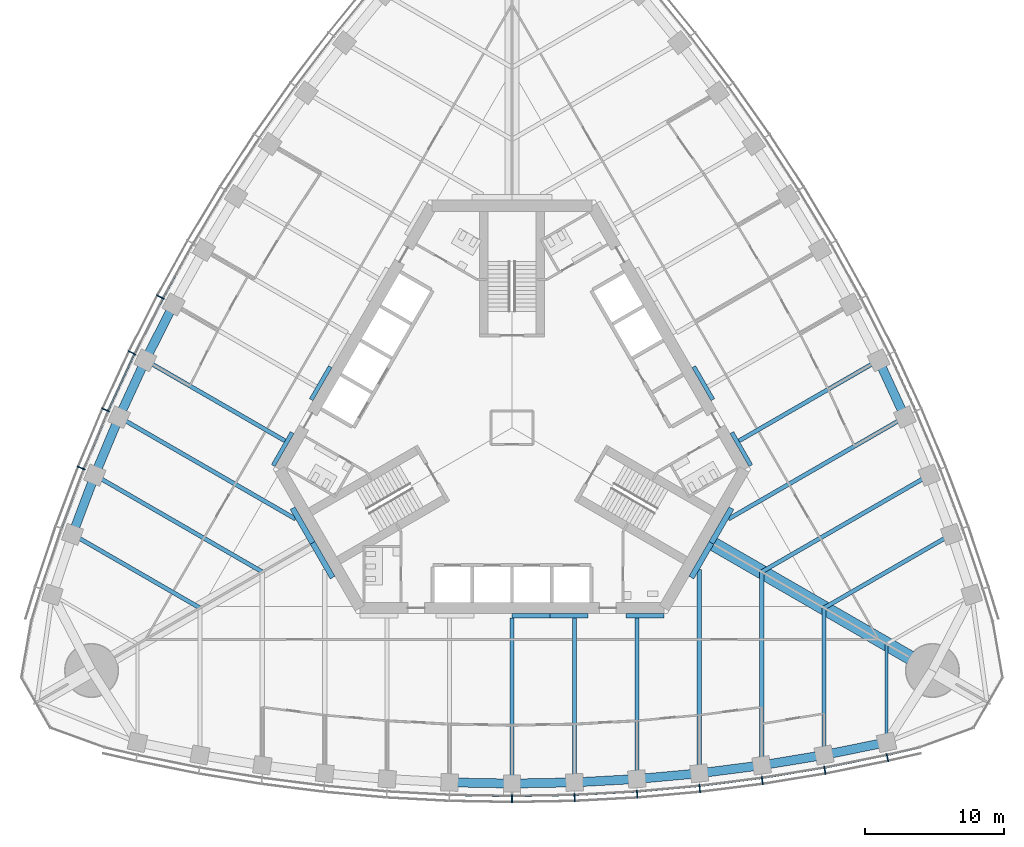
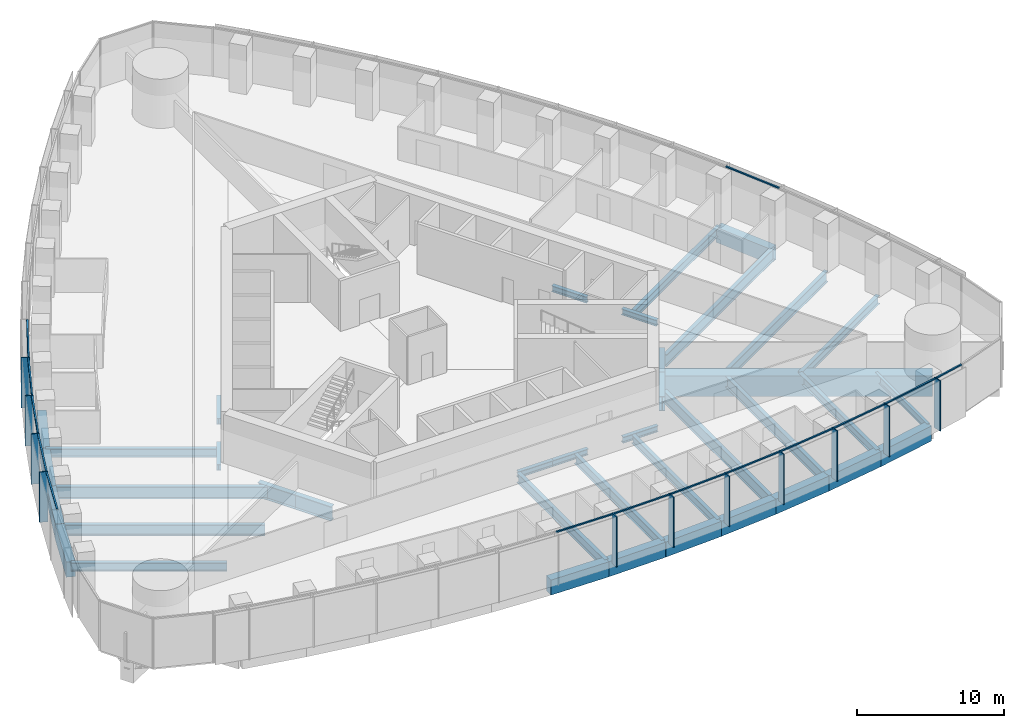
# One storey, part 3 of 21: 39 beams, 25 members, 3 elements without a shape of their own.
"""IFC4 building model written with IfcOpenShell, lengths in metres."""

from ifc_helpers import new_model, si_unit, direction, frame, origin, origin_2d, place, context, subcontext, project, spatial, rectangle, i_section, extrude, material, material_profile, profile_set, type_object, element, aggregate, save


model = new_model("IFC4")

# Units and contexts
model_context = context("Model", 3, precision=1e-05, world=origin(), true_north=direction((0.0, 1.0)))
body_context = subcontext(model_context, "Body", "Model", "MODEL_VIEW")
ifc_project = project(units=[si_unit("LENGTHUNIT", "METRE"), si_unit("AREAUNIT", "SQUARE_METRE"), si_unit("VOLUMEUNIT", "CUBIC_METRE"), si_unit("PLANEANGLEUNIT", "RADIAN"), si_unit("MASSUNIT", "GRAM", prefix="KILO")], contexts=[model_context])

# Site, building, storey
site_placement = place(None, origin())
site = spatial("IfcSite", under=ifc_project, at=site_placement, CompositionType="ELEMENT")
building_placement = place(site_placement, origin())
building = spatial("IfcBuilding", under=site, at=building_placement, Name="Trefoil Bronze Tower", CompositionType="ELEMENT")
storey_placement = place(building_placement, frame((0.0, 0.0, 145.10009765625)))
storey = spatial("IfcBuildingStorey", under=building, at=storey_placement, Name="L33", CompositionType="ELEMENT", Elevation=145.10009765625)

# Curtain wall, members
ifc_material_1 = material(Name="Tinted solar-control glass", Category="glass")
curtain_wall_type = type_object("IfcCurtainWallType", Name="Bronze office curtain wall", PredefinedType="USERDEFINED", material=ifc_material_1)
curtain_wall_1_placement = place(storey_placement, origin())
curtain_wall_1 = element("IfcCurtainWall", 1, at=curtain_wall_1_placement, inside=storey, type_object=curtain_wall_type, Name="CW-A L33 F1", ObjectType="CURTAIN WALL", PredefinedType="USERDEFINED")
ifc_material_2 = material(Name="Bronze-finish aluminium", Category="aluminium")
ifc_material_profile_1 = material_profile(ifc_material_2, rectangle(XDim=0.60009765625, YDim=0.080078125, at=origin_2d()), Name="CW-A mullion")
ifc_profile_set_1 = profile_set([ifc_material_profile_1], Name="Bronze-finish aluminium")
member_type_1 = type_object("IfcMemberType", Name="Bronze office curtain wall mullion", PredefinedType="MULLION", material=ifc_profile_set_1)
member_1_placement = place(storey_placement, frame((0.0, -26.749755859375, 0.0), z_axis=(0.0, 0.0, 1.0), x_axis=(0.0, 1.0, 0.0)))
member_1 = element("IfcMember", 2, at=member_1_placement, type_object=member_type_1, Name="CW-A L33 F1 mullion 8", PredefinedType="MULLION", context=body_context, shape_type="SweptSolid", body=[
    extrude(rectangle(XDim=0.60009765625, YDim=0.080078125, at=origin_2d()), origin(), (0.0, 0.0, 1.0), 4.179931640625),
])
member_2_placement = place(storey_placement, frame((4.5107421875, -26.66845703125, 0.0), z_axis=(0.0, 0.0, 1.0), x_axis=(-0.036047792107, 0.999350067136, 0.0)))
member_2 = element("IfcMember", 3, at=member_2_placement, type_object=member_type_1, Name="CW-A L33 F1 mullion 9", PredefinedType="MULLION", context=body_context, shape_type="SweptSolid", body=[
    extrude(rectangle(XDim=0.60009765625, YDim=0.080078125, at=origin_2d()), origin(), (0.0, 0.0, 1.0), 4.179931640625),
])
member_3_placement = place(storey_placement, frame((9.021728515625, -26.424072265625, 0.0), z_axis=(0.0, 0.0, 1.0), x_axis=(-0.072095676284, 0.997397720802, 0.0)))
member_3 = element("IfcMember", 4, at=member_3_placement, type_object=member_type_1, Name="CW-A L33 F1 mullion 10", PredefinedType="MULLION", context=body_context, shape_type="SweptSolid", body=[
    extrude(rectangle(XDim=0.60009765625, YDim=0.080078125, at=origin_2d()), origin(), (0.0, 0.0, 1.0), 4.179931640625),
])
member_4_placement = place(storey_placement, frame((13.532470703125, -26.01611328125, 0.0), z_axis=(0.0, 0.0, 1.0), x_axis=(-0.108143747013, 0.994135267447, 0.0)))
member_4 = element("IfcMember", 5, at=member_4_placement, type_object=member_type_1, Name="CW-A L33 F1 mullion 11", PredefinedType="MULLION", context=body_context, shape_type="SweptSolid", body=[
    extrude(rectangle(XDim=0.60009765625, YDim=0.080078125, at=origin_2d()), origin(), (0.0, 0.0, 1.0), 4.179931640625),
])
member_5_placement = place(storey_placement, frame((18.043212890625, -25.4423828125, 0.0), z_axis=(0.0, 0.0, 1.0), x_axis=(-0.144192103798, 0.989549714366, 0.0)))
member_5 = element("IfcMember", 6, at=member_5_placement, type_object=member_type_1, Name="CW-A L33 F1 mullion 12", PredefinedType="MULLION", context=body_context, shape_type="SweptSolid", body=[
    extrude(rectangle(XDim=0.60009765625, YDim=0.080078125, at=origin_2d()), origin(), (0.0, 0.0, 1.0), 4.179931640625),
])
member_6_placement = place(storey_placement, frame((22.553955078125, -24.700927734375, 0.0), z_axis=(0.0, 0.0, 1.0), x_axis=(-0.180240853954, 0.98362250613, 0.0)))
member_6 = element("IfcMember", 7, at=member_6_placement, type_object=member_type_1, Name="CW-A L33 F1 mullion 13", PredefinedType="MULLION", context=body_context, shape_type="SweptSolid", body=[
    extrude(rectangle(XDim=0.60009765625, YDim=0.080078125, at=origin_2d()), origin(), (0.0, 0.0, 1.0), 4.179931640625),
])
member_7_placement = place(storey_placement, frame((27.0634765625, -23.7890625, 0.0), z_axis=(0.0, 0.0, 1.0), x_axis=(-0.21197042503, 0.977276081214, 0.0)))
member_7 = element("IfcMember", 8, at=member_7_placement, type_object=member_type_1, Name="CW-A L33 F1 mullion 14", PredefinedType="MULLION", context=body_context, shape_type="SweptSolid", body=[
    extrude(rectangle(XDim=0.60009765625, YDim=0.080078125, at=origin_2d()), origin(), (0.0, 0.0, 1.0), 4.179931640625),
])

curtain_wall_2_placement = place(storey_placement, origin())
curtain_wall_2 = element("IfcCurtainWall", 9, at=curtain_wall_2_placement, inside=storey, type_object=curtain_wall_type, Name="CW-A L33 F3", ObjectType="CURTAIN WALL", PredefinedType="USERDEFINED")
member_8_placement = place(storey_placement, frame((-25.350830078125, 9.427734375, 0.0), z_axis=(0.0, 0.0, 1.0), x_axis=(0.883486441467, -0.468456729853, 0.0)))
member_8 = element("IfcMember", 10, at=member_8_placement, type_object=member_type_1, Name="CW-A L33 F3 mullion 9", PredefinedType="MULLION", context=body_context, shape_type="SweptSolid", body=[
    extrude(rectangle(XDim=0.60009765625, YDim=0.080078125, at=origin_2d()), origin(), (0.0, 0.0, 1.0), 4.179931640625),
])
member_9_placement = place(storey_placement, frame((-27.394775390625, 5.399169921875, 0.0), z_axis=(0.0, 0.0, 1.0), x_axis=(0.899819602033, -0.436262173236, 0.0)))
member_9 = element("IfcMember", 11, at=member_9_placement, type_object=member_type_1, Name="CW-A L33 F3 mullion 10", PredefinedType="MULLION", context=body_context, shape_type="SweptSolid", body=[
    extrude(rectangle(XDim=0.60009765625, YDim=0.080078125, at=origin_2d()), origin(), (0.0, 0.0, 1.0), 4.179931640625),
])
member_10_placement = place(storey_placement, frame((-29.296875, 1.28857421875, 0.0), z_axis=(0.0, 0.0, 1.0), x_axis=(0.915018269914, -0.40341240155, 0.0)))
member_10 = element("IfcMember", 12, at=member_10_placement, type_object=member_type_1, Name="CW-A L33 F3 mullion 11", PredefinedType="MULLION", context=body_context, shape_type="SweptSolid", body=[
    extrude(rectangle(XDim=0.60009765625, YDim=0.080078125, at=origin_2d()), origin(), (0.0, 0.0, 1.0), 4.179931640625),
])
member_11_placement = place(storey_placement, frame((-31.055419921875, -2.90478515625, 0.0), z_axis=(0.0, 0.0, 1.0), x_axis=(0.929071242848, -0.369900832269, 0.0)))
member_11 = element("IfcMember", 13, at=member_11_placement, type_object=member_type_1, Name="CW-A L33 F3 mullion 12", PredefinedType="MULLION", context=body_context, shape_type="SweptSolid", body=[
    extrude(rectangle(XDim=0.60009765625, YDim=0.080078125, at=origin_2d()), origin(), (0.0, 0.0, 1.0), 4.179931640625),
])

# Member
ifc_material_3 = material(Name="Bronze-finish aluminium", Category="aluminium")
ifc_material_profile_2 = material_profile(ifc_material_3, rectangle(XDim=0.1201171875, YDim=0.10009765625, at=origin_2d()), Name="CW-A transom")
ifc_profile_set_2 = profile_set([ifc_material_profile_2], Name="Bronze-finish aluminium")
member_type_2 = type_object("IfcMemberType", Name="Bronze office curtain wall transom", PredefinedType="USERDEFINED", material=ifc_profile_set_2)
member_12_placement = place(storey_placement, frame((-4.4619140625, -26.46923828125, 4.1298828125), z_axis=(0.999837930028, -0.018003157426, 0.0), x_axis=(0.018003157426, 0.999837930028, 0.0)))
member_12 = element("IfcMember", 14, at=member_12_placement, type_object=member_type_2, Name="CW-A L33 F1 transom 7", ObjectType="TRANSOM", PredefinedType="USERDEFINED", context=body_context, shape_type="SweptSolid", body=[
    extrude(rectangle(XDim=0.1201171875, YDim=0.10009765625, at=origin_2d()), origin(), (0.0, 0.0, 1.0), 4.4208984375),
])

member_13_placement = place(storey_placement, frame((0.041748046875, -26.548828125, 4.1298828125), z_axis=(0.999837930028, 0.018003157426, 0.0), x_axis=(-0.018003157426, 0.999837930028, 0.0)))
member_13 = element("IfcMember", 15, at=member_13_placement, type_object=member_type_2, Name="CW-A L33 F1 transom 8", ObjectType="TRANSOM", PredefinedType="USERDEFINED", context=body_context, shape_type="SweptSolid", body=[
    extrude(rectangle(XDim=0.1201171875, YDim=0.10009765625, at=origin_2d()), origin(), (0.0, 0.0, 1.0), 4.4208984375),
])

member_14_placement = place(storey_placement, frame((4.54541015625, -26.46630859375, 4.1298828125), z_axis=(0.998538253569, 0.054049571306, 0.0), x_axis=(-0.054049571306, 0.998538253569, 0.0)))
member_14 = element("IfcMember", 16, at=member_14_placement, type_object=member_type_2, Name="CW-A L33 F1 transom 9", ObjectType="TRANSOM", PredefinedType="USERDEFINED", context=body_context, shape_type="SweptSolid", body=[
    extrude(rectangle(XDim=0.1201171875, YDim=0.10009765625, at=origin_2d()), origin(), (0.0, 0.0, 1.0), 4.4267578125),
])

member_15_placement = place(storey_placement, frame((9.048828125, -26.220947265625, 4.1298828125), z_axis=(0.995932787062, 0.090099298863, 0.0), x_axis=(-0.090099298863, 0.995932787062, 0.0)))
member_15 = element("IfcMember", 17, at=member_15_placement, type_object=member_type_2, Name="CW-A L33 F1 transom 10", ObjectType="TRANSOM", PredefinedType="USERDEFINED", context=body_context, shape_type="SweptSolid", body=[
    extrude(rectangle(XDim=0.1201171875, YDim=0.10009765625, at=origin_2d()), origin(), (0.0, 0.0, 1.0), 4.4384765625),
])

member_16_placement = place(storey_placement, frame((13.55224609375, -25.81201171875, 4.1298828125), z_axis=(0.992008387848, 0.12617193998, 0.0), x_axis=(-0.12617193998, 0.992008387848, 0.0)))
member_16 = element("IfcMember", 18, at=member_16_placement, type_object=member_type_2, Name="CW-A L33 F1 transom 11", ObjectType="TRANSOM", PredefinedType="USERDEFINED", context=body_context, shape_type="SweptSolid", body=[
    extrude(rectangle(XDim=0.1201171875, YDim=0.10009765625, at=origin_2d()), origin(), (0.0, 0.0, 1.0), 4.456298828125),
])

member_17_placement = place(storey_placement, frame((18.0556640625, -25.23779296875, 4.1298828125), z_axis=(0.986755265284, 0.162216048636, 0.0), x_axis=(-0.162216048636, 0.986755265284, 0.0)))
member_17 = element("IfcMember", 19, at=member_17_placement, type_object=member_type_2, Name="CW-A L33 F1 transom 12", ObjectType="TRANSOM", PredefinedType="USERDEFINED", context=body_context, shape_type="SweptSolid", body=[
    extrude(rectangle(XDim=0.1201171875, YDim=0.10009765625, at=origin_2d()), origin(), (0.0, 0.0, 1.0), 4.48046875),
])

member_18_placement = place(storey_placement, frame((22.55908203125, -24.49609375, 4.1298828125), z_axis=(0.980153749225, 0.198238815273, 0.0), x_axis=(-0.198238815273, 0.980153749225, 0.0)))
member_18 = element("IfcMember", 20, at=member_18_placement, type_object=member_type_2, Name="CW-A L33 F1 transom 13", ObjectType="TRANSOM", PredefinedType="USERDEFINED", context=body_context, shape_type="SweptSolid", body=[
    extrude(rectangle(XDim=0.1201171875, YDim=0.10009765625, at=origin_2d()), origin(), (0.0, 0.0, 1.0), 4.51123046875),
])

member_19_placement = place(storey_placement, frame((27.0615234375, -23.584228515625, 4.1298828125), z_axis=(0.974206243495, 0.225659467196, 0.0), x_axis=(-0.225659467196, 0.974206243495, 0.0)))
member_19 = element("IfcMember", 21, at=member_19_placement, type_object=member_type_2, Name="CW-A L33 F1 transom 14", ObjectType="TRANSOM", PredefinedType="USERDEFINED", context=body_context, shape_type="SweptSolid", body=[
    extrude(rectangle(XDim=0.1201171875, YDim=0.10009765625, at=origin_2d()), origin(), (0.0, 0.0, 1.0), 2.340087890625),
])

aggregate(curtain_wall_1, [member_1, member_2, member_3, member_4, member_5, member_6, member_7, member_12, member_13, member_14, member_15, member_16, member_17, member_18, member_19])

# Curtain wall, member
curtain_wall_3_placement = place(storey_placement, origin())
curtain_wall_3 = element("IfcCurtainWall", 22, at=curtain_wall_3_placement, inside=storey, type_object=curtain_wall_type, Name="CW-A L33 F2", ObjectType="CURTAIN WALL", PredefinedType="USERDEFINED")
member_20_placement = place(storey_placement, frame((29.09619140625, 1.245849609375, 4.1298828125), z_axis=(-0.419923072198, 0.907559702409, 0.0), x_axis=(-0.907559702409, -0.419923072198, 0.0)))
member_20 = element("IfcMember", 23, at=member_20_placement, type_object=member_type_2, Name="CW-A L33 F2 transom 5", ObjectType="TRANSOM", PredefinedType="USERDEFINED", context=body_context, shape_type="SweptSolid", body=[
    extrude(rectangle(XDim=0.1201171875, YDim=0.10009765625, at=origin_2d()), origin(), (0.0, 0.0, 1.0), 4.4384765625),
])
aggregate(curtain_wall_3, [member_20])

# Member
member_21_placement = place(storey_placement, frame((-23.012939453125, 13.23828125, 4.1298828125), z_axis=(-0.484329470343, -0.874885686337, 0.0), x_axis=(0.874885686337, -0.484329470343, 0.0)))
member_21 = element("IfcMember", 24, at=member_21_placement, type_object=member_type_2, Name="CW-A L33 F3 transom 8", ObjectType="TRANSOM", PredefinedType="USERDEFINED", context=body_context, shape_type="SweptSolid", body=[
    extrude(rectangle(XDim=0.1201171875, YDim=0.10009765625, at=origin_2d()), origin(), (0.0, 0.0, 1.0), 4.4208984375),
])

member_22_placement = place(storey_placement, frame((-25.193115234375, 9.296630859375, 4.1298828125), z_axis=(-0.452478489814, -0.891775317138, 0.0), x_axis=(0.891775317138, -0.452478489814, 0.0)))
member_22 = element("IfcMember", 25, at=member_22_placement, type_object=member_type_2, Name="CW-A L33 F3 transom 9", ObjectType="TRANSOM", PredefinedType="USERDEFINED", context=body_context, shape_type="SweptSolid", body=[
    extrude(rectangle(XDim=0.1201171875, YDim=0.10009765625, at=origin_2d()), origin(), (0.0, 0.0, 1.0), 4.426513671875),
])

member_23_placement = place(storey_placement, frame((-27.232421875, 5.27392578125, 4.1298828125), z_axis=(-0.419923072198, -0.907559702409, 0.0), x_axis=(0.907559702409, -0.419923072198, 0.0)))
member_23 = element("IfcMember", 26, at=member_23_placement, type_object=member_type_2, Name="CW-A L33 F3 transom 10", ObjectType="TRANSOM", PredefinedType="USERDEFINED", context=body_context, shape_type="SweptSolid", body=[
    extrude(rectangle(XDim=0.1201171875, YDim=0.10009765625, at=origin_2d()), origin(), (0.0, 0.0, 1.0), 4.4384765625),
])

member_24_placement = place(storey_placement, frame((-29.1298828125, 1.16943359375, 4.1298828125), z_axis=(-0.386773266184, -0.922174842731, 0.0), x_axis=(0.922174842731, -0.386773266184, 0.0)))
member_24 = element("IfcMember", 27, at=member_24_placement, type_object=member_type_2, Name="CW-A L33 F3 transom 11", ObjectType="TRANSOM", PredefinedType="USERDEFINED", context=body_context, shape_type="SweptSolid", body=[
    extrude(rectangle(XDim=0.1201171875, YDim=0.10009765625, at=origin_2d()), origin(), (0.0, 0.0, 1.0), 4.45654296875),
])

member_25_placement = place(storey_placement, frame((-30.88427734375, -3.017822265625, 4.1298828125), z_axis=(-0.352932154759, -0.935648916067, 0.0), x_axis=(0.935648916067, -0.352932154759, 0.0)))
member_25 = element("IfcMember", 28, at=member_25_placement, type_object=member_type_2, Name="CW-A L33 F3 transom 12", ObjectType="TRANSOM", PredefinedType="USERDEFINED", context=body_context, shape_type="SweptSolid", body=[
    extrude(rectangle(XDim=0.1201171875, YDim=0.10009765625, at=origin_2d()), origin(), (0.0, 0.0, 1.0), 4.48046875),
])

aggregate(curtain_wall_2, [member_8, member_9, member_10, member_11, member_21, member_22, member_23, member_24, member_25])

# Beams
ifc_material_4 = material(Name="Steel C355", Category="steel")
ifc_material_profile_3 = material_profile(ifc_material_4, i_section(OverallWidth=0.300048828125, OverallDepth=0.5, WebThickness=0.014404296875, FlangeThickness=0.028076171875, FilletRadius=0.027099609375, at=origin_2d()), Name="HEB 500")
ifc_profile_set_3 = profile_set([ifc_material_profile_3], Name="Steel C355")
beam_type_1 = type_object("IfcBeamType", Name="Core seat beam HEB 500", PredefinedType="BEAM", material=ifc_profile_set_3)
for number, where, z_axis, x_axis, name in (
    (29, (0.0, -13.550048828125, -0.4501953125), (1.0, 0.0, 0.0), (0.0, 1.0, 0.0), "Core seat beam F1/+0 L33"),
    (30, (2.742431640625, -13.550048828125, -0.4501953125), (1.0, 0.0, 0.0), (0.0, 1.0, 0.0), "Core seat beam F1/+1 L33"),
    (31, (8.227294921875, -13.550048828125, -0.4501953125), (1.0, 0.0, 0.0), (0.0, 1.0, 0.0), "Core seat beam F1/+2 L33"),
    (32, (17.219482421875, -2.72509765625, -0.4501953125), (-0.500035825175, 0.866004719122, 0.0), (-0.866004719122, -0.500035825175, 0.0), "Core seat beam F2/-2 L33"),
    (33, (14.47705078125, 2.02490234375, -0.4501953125), (-0.499969057507, 0.866043267704, 0.0), (-0.866043267704, -0.499969057507, 0.0), "Core seat beam F2/-1 L33"),
    (34, (-13.10595703125, 4.39990234375, -0.4501953125), (-0.499969057507, -0.866043267704, 0.0), (0.866043267704, -0.499969057507, 0.0), "Core seat beam F3/+1 L33"),
    (35, (-15.84814453125, -0.35009765625, -0.4501953125), (-0.500035825175, -0.866004719122, 0.0), (0.866004719122, -0.500035825175, 0.0), "Core seat beam F3/+2 L33"),
):
    element("IfcBeam", number, at=place(storey_placement, frame(where, z_axis=z_axis, x_axis=x_axis)), inside=storey, type_object=beam_type_1, Name=name, PredefinedType="BEAM", context=body_context, shape_type="SweptSolid", body=[
        extrude(i_section(OverallWidth=0.300048828125, OverallDepth=0.5, WebThickness=0.014404296875, FlangeThickness=0.028076171875, FilletRadius=0.027099609375, at=origin_2d()), origin(), (0.0, 0.0, 1.0), 2.742431640625),
    ])
ifc_material_5 = material(Name="Steel C355", Category="steel")
ifc_material_profile_4 = material_profile(ifc_material_5, i_section(OverallWidth=0.39990234375, OverallDepth=1.199951171875, WebThickness=0.02001953125, FlangeThickness=0.0400390625, FilletRadius=0.010009765625, at=origin_2d()), Name="WPG 1200")
ifc_profile_set_4 = profile_set([ifc_material_profile_4], Name="Steel C355")
beam_type_2 = type_object("IfcBeamType", Name="Core seat beam WPG 1200", PredefinedType="BEAM", material=ifc_profile_set_4)
for number, where, z_axis, x_axis, name in (
    (36, (-14.3759765625, -8.300048828125, -0.800048828125), (0.499995765644, -0.866027848477, 0.0), (0.866027848477, 0.499995765644, 0.0), "Core seat beam F1/-3 L33"),
    (37, (12.9326171875, -10.800048828125, -0.800048828125), (0.499995765644, 0.866027848477, 0.0), (-0.866027848477, 0.499995765644, 0.0), "Core seat beam F1/+3 L33"),
    (38, (14.3759765625, -8.300048828125, -0.800048828125), (0.499995765644, 0.866027848477, 0.0), (-0.866027848477, 0.499995765644, 0.0), "Core seat beam F2/-3 L33"),
    (39, (-15.8193359375, -5.800048828125, -0.800048828125), (0.499995765644, -0.866027848477, 0.0), (0.866027848477, 0.499995765644, 0.0), "Core seat beam F3/+3 L33"),
):
    element("IfcBeam", number, at=place(storey_placement, frame(where, z_axis=z_axis, x_axis=x_axis)), inside=storey, type_object=beam_type_2, Name=name, PredefinedType="BEAM", context=body_context, shape_type="SweptSolid", body=[
        extrude(i_section(OverallWidth=0.39990234375, OverallDepth=1.199951171875, WebThickness=0.02001953125, FlangeThickness=0.0400390625, FilletRadius=0.010009765625, at=origin_2d()), origin(), (0.0, 0.0, 1.0), 2.88671875),
    ])
ifc_material_6 = material(Name="Concrete B80", Category="concrete")
ifc_material_profile_5 = material_profile(ifc_material_6, rectangle(XDim=1.0, YDim=1.699951171875, at=origin_2d()), Name="RC 1000x1700")
ifc_profile_set_5 = profile_set([ifc_material_profile_5], Name="Concrete B80")
beam_type_3 = type_object("IfcBeamType", Name="Corner girder RC 1000x1700", PredefinedType="BEAM", material=ifc_profile_set_5)
beam_1_placement = place(storey_placement, frame((14.202880859375, -8.199951171875, -1.050048828125), z_axis=(0.866022084834, -0.500005748546, 0.0), x_axis=(0.500005748546, 0.866022084834, 0.0)))
element("IfcBeam", 40, at=beam_1_placement, inside=storey, type_object=beam_type_3, Name="Corner girder K1 L33", PredefinedType="BEAM", context=body_context, shape_type="SweptSolid", body=[
    extrude(rectangle(XDim=1.0, YDim=1.699951171875, at=origin_2d()), origin(), (0.0, 0.0, 1.0), 18.599853515625),
])
ifc_material_7 = material(Name="Steel C355", Category="steel")
ifc_material_profile_6 = material_profile(ifc_material_7, i_section(OverallWidth=0.300048828125, OverallDepth=1.0, WebThickness=0.01904296875, FlangeThickness=0.035888671875, FilletRadius=0.030029296875, at=origin_2d()), Name="HEB 1000")
ifc_profile_set_6 = profile_set([ifc_material_profile_6], Name="Steel C355")
beam_type_4 = type_object("IfcBeamType", Name="Floor beam HEB 1000", PredefinedType="BEAM", material=ifc_profile_set_6)
for number, where, z_axis, x_axis, name in (
    (41, (13.5, -24.9130859375, -0.7001953125), (0.0, 1.0, 0.0), (-1.0, 0.0, 0.0), "Floor beam F1/+3 L33"),
    (42, (28.325439453125, 0.76513671875, -0.7001953125), (-0.866027342682, -0.499996641717, 0.0), (0.499996641717, -0.866027342682, 0.0), "Floor beam F2/-3 L33"),
    (43, (-28.325439453125, 0.76513671875, -0.7001953125), (0.866027342682, -0.499996641717, 0.0), (0.499996641717, 0.866027342682, 0.0), "Floor beam F3/+3 L33"),
):
    element("IfcBeam", number, at=place(storey_placement, frame(where, z_axis=z_axis, x_axis=x_axis)), inside=storey, type_object=beam_type_4, Name=name, PredefinedType="BEAM", context=body_context, shape_type="SweptSolid", body=[
        extrude(i_section(OverallWidth=0.300048828125, OverallDepth=1.0, WebThickness=0.01904296875, FlangeThickness=0.035888671875, FilletRadius=0.030029296875, at=origin_2d()), origin(), (0.0, 0.0, 1.0), 14.69580078125),
    ])
ifc_material_8 = material(Name="Steel C355", Category="steel")
ifc_material_profile_7 = material_profile(ifc_material_8, i_section(OverallWidth=0.300048828125, OverallDepth=0.699951171875, WebThickness=0.01708984375, FlangeThickness=0.031982421875, FilletRadius=0.027099609375, at=origin_2d()), Name="HEB 700")
ifc_profile_set_7 = profile_set([ifc_material_profile_7], Name="Steel C355")
beam_type_5 = type_object("IfcBeamType", Name="Floor beam HEB 700", PredefinedType="BEAM", material=ifc_profile_set_7)
beam_2_placement = place(storey_placement, frame((9.0, -25.32275390625, -0.550048828125), z_axis=(0.0, 1.0, 0.0), x_axis=(-1.0, 0.0, 0.0)))
element("IfcBeam", 44, at=beam_2_placement, inside=storey, type_object=beam_type_5, Name="Floor beam F1/+2 L33", PredefinedType="BEAM", context=body_context, shape_type="SweptSolid", body=[
    extrude(i_section(OverallWidth=0.300048828125, OverallDepth=0.699951171875, WebThickness=0.01708984375, FlangeThickness=0.031982421875, FilletRadius=0.027099609375, at=origin_2d()), origin(), (0.0, 0.0, 1.0), 11.622802734375),
])
beam_3_placement = place(storey_placement, frame((22.5, -23.592529296875, -0.550048828125), z_axis=(0.0, 1.0, 0.0), x_axis=(-1.0, 0.0, 0.0)))
element("IfcBeam", 45, at=beam_3_placement, inside=storey, type_object=beam_type_5, Name="Floor beam F1/+5 L33", PredefinedType="BEAM", context=body_context, shape_type="SweptSolid", body=[
    extrude(i_section(OverallWidth=0.300048828125, OverallDepth=0.699951171875, WebThickness=0.01708984375, FlangeThickness=0.031982421875, FilletRadius=0.027099609375, at=origin_2d()), origin(), (0.0, 0.0, 1.0), 10.60205078125),
])
beam_4_placement = place(storey_placement, frame((31.681884765625, -7.689208984375, -0.550048828125), z_axis=(-0.866021079084, -0.500007490527, 0.0), x_axis=(0.500007490527, -0.866021079084, 0.0)))
element("IfcBeam", 46, at=beam_4_placement, inside=storey, type_object=beam_type_5, Name="Floor beam F2/-5 L33", PredefinedType="BEAM", context=body_context, shape_type="SweptSolid", body=[
    extrude(i_section(OverallWidth=0.300048828125, OverallDepth=0.699951171875, WebThickness=0.01708984375, FlangeThickness=0.031982421875, FilletRadius=0.027099609375, at=origin_2d()), origin(), (0.0, 0.0, 1.0), 10.602294921875),
])
for number, where, z_axis, x_axis, name in (
    (47, (26.43017578125, 4.8671875, -0.550048828125), (-0.866021531335, -0.500006707218, 0.0), (0.500006707218, -0.866021531335, 0.0), "Floor beam F2/-2 L33"),
    (48, (-26.43017578125, 4.8671875, -0.550048828125), (0.866021531335, -0.500006707218, 0.0), (0.500006707218, 0.866021531335, 0.0), "Floor beam F3/+2 L33"),
):
    element("IfcBeam", number, at=place(storey_placement, frame(where, z_axis=z_axis, x_axis=x_axis)), inside=storey, type_object=beam_type_5, Name=name, PredefinedType="BEAM", context=body_context, shape_type="SweptSolid", body=[
        extrude(i_section(OverallWidth=0.300048828125, OverallDepth=0.699951171875, WebThickness=0.01708984375, FlangeThickness=0.031982421875, FilletRadius=0.027099609375, at=origin_2d()), origin(), (0.0, 0.0, 1.0), 11.622802734375),
    ])
beam_5_placement = place(storey_placement, frame((-31.681884765625, -7.689208984375, -0.550048828125), z_axis=(0.866021079084, -0.500007490527, 0.0), x_axis=(0.500007490527, 0.866021079084, 0.0)))
element("IfcBeam", 49, at=beam_5_placement, inside=storey, type_object=beam_type_5, Name="Floor beam F3/+5 L33", PredefinedType="BEAM", context=body_context, shape_type="SweptSolid", body=[
    extrude(i_section(OverallWidth=0.300048828125, OverallDepth=0.699951171875, WebThickness=0.01708984375, FlangeThickness=0.031982421875, FilletRadius=0.027099609375, at=origin_2d()), origin(), (0.0, 0.0, 1.0), 10.602294921875),
])
ifc_material_9 = material(Name="Steel C355", Category="steel")
ifc_material_profile_8 = material_profile(ifc_material_9, i_section(OverallWidth=0.300048828125, OverallDepth=0.800048828125, WebThickness=0.017578125, FlangeThickness=0.032958984375, FilletRadius=0.030029296875, at=origin_2d()), Name="HEB 800")
ifc_profile_set_8 = profile_set([ifc_material_profile_8], Name="Steel C355")
beam_type_6 = type_object("IfcBeamType", Name="Floor beam HEB 800", PredefinedType="BEAM", material=ifc_profile_set_8)
beam_6_placement = place(storey_placement, frame((0.0, -25.649658203125, -0.60009765625), z_axis=(0.0, 1.0, 0.0), x_axis=(-1.0, 0.0, 0.0)))
element("IfcBeam", 50, at=beam_6_placement, inside=storey, type_object=beam_type_6, Name="Floor beam F1/+0 L33", PredefinedType="BEAM", context=body_context, shape_type="SweptSolid", body=[
    extrude(i_section(OverallWidth=0.300048828125, OverallDepth=0.800048828125, WebThickness=0.017578125, FlangeThickness=0.032958984375, FilletRadius=0.030029296875, at=origin_2d()), origin(), (0.0, 0.0, 1.0), 11.94970703125),
])
beam_7_placement = place(storey_placement, frame((4.5, -25.568115234375, -0.60009765625), z_axis=(0.0, 1.0, 0.0), x_axis=(-1.0, 0.0, 0.0)))
element("IfcBeam", 51, at=beam_7_placement, inside=storey, type_object=beam_type_6, Name="Floor beam F1/+1 L33", PredefinedType="BEAM", context=body_context, shape_type="SweptSolid", body=[
    extrude(i_section(OverallWidth=0.300048828125, OverallDepth=0.800048828125, WebThickness=0.017578125, FlangeThickness=0.032958984375, FilletRadius=0.030029296875, at=origin_2d()), origin(), (0.0, 0.0, 1.0), 11.8681640625),
])
ifc_material_10 = material(Name="Steel C355", Category="steel")
ifc_material_profile_9 = material_profile(ifc_material_10, i_section(OverallWidth=0.300048828125, OverallDepth=0.89990234375, WebThickness=0.0185546875, FlangeThickness=0.034912109375, FilletRadius=0.030029296875, at=origin_2d()), Name="HEB 900")
ifc_profile_set_9 = profile_set([ifc_material_profile_9], Name="Steel C355")
beam_type_7 = type_object("IfcBeamType", Name="Floor beam HEB 900", PredefinedType="BEAM", material=ifc_profile_set_9)
for number, where, z_axis, x_axis, name in (
    (52, (18.0, -24.337158203125, -0.650146484375), (0.0, 1.0, 0.0), (-1.0, 0.0, 0.0), "Floor beam F1/+4 L33"),
    (53, (30.07666015625, -3.419921875, -0.650146484375), (-0.866026983775, -0.499997263366, 0.0), (0.499997263366, -0.866026983775, 0.0), "Floor beam F2/-4 L33"),
    (54, (-30.07666015625, -3.419921875, -0.650146484375), (0.866026983775, -0.499997263366, 0.0), (0.499997263366, 0.866026983775, 0.0), "Floor beam F3/+4 L33"),
):
    element("IfcBeam", number, at=place(storey_placement, frame(where, z_axis=z_axis, x_axis=x_axis)), inside=storey, type_object=beam_type_7, Name=name, PredefinedType="BEAM", context=body_context, shape_type="SweptSolid", body=[
        extrude(i_section(OverallWidth=0.300048828125, OverallDepth=0.89990234375, WebThickness=0.0185546875, FlangeThickness=0.034912109375, FilletRadius=0.030029296875, at=origin_2d()), origin(), (0.0, 0.0, 1.0), 13.94482421875),
    ])
ifc_material_11 = material(Name="Steel C355", Category="steel")
ifc_material_profile_10 = material_profile(ifc_material_11, i_section(OverallWidth=0.219970703125, OverallDepth=0.60009765625, WebThickness=0.011962890625, FlangeThickness=0.01904296875, FilletRadius=0.02392578125, at=origin_2d()), Name="IPE 600")
ifc_profile_set_10 = profile_set([ifc_material_profile_10], Name="Steel C355")
beam_type_8 = type_object("IfcBeamType", Name="Floor beam IPE 600", PredefinedType="BEAM", material=ifc_profile_set_10)
beam_8_placement = place(storey_placement, frame((27.0, -22.67724609375, -0.5), z_axis=(0.0, 1.0, 0.0), x_axis=(-1.0, 0.0, 0.0)))
element("IfcBeam", 55, at=beam_8_placement, inside=storey, type_object=beam_type_8, Name="Floor beam F1/+6 L33", PredefinedType="BEAM", context=body_context, shape_type="SweptSolid", body=[
    extrude(i_section(OverallWidth=0.219970703125, OverallDepth=0.60009765625, WebThickness=0.011962890625, FlangeThickness=0.01904296875, FilletRadius=0.02392578125, at=origin_2d()), origin(), (0.0, 0.0, 1.0), 7.0888671875),
])
ifc_material_12 = material(Name="Concrete B80", Category="concrete")
ifc_material_profile_11 = material_profile(ifc_material_12, rectangle(XDim=0.64990234375, YDim=1.25, at=origin_2d()), Name="RC 650x1250")
ifc_profile_set_11 = profile_set([ifc_material_profile_11], Name="Concrete B80")
beam_type_9 = type_object("IfcBeamType", Name="Spandrel beam RC 650x1250", PredefinedType="SPANDREL", material=ifc_profile_set_11)
for number, where, z_axis, x_axis, name in (
    (56, (-4.5, -25.568115234375, -0.8251953125), (0.999835861267, -0.01811768542, 0.0), (0.01811768542, 0.999835861267, 0.0), "Spandrel F1.7 L33"),
    (57, (0.0, -25.649658203125, -0.8251953125), (0.999835861267, 0.01811768542, 0.0), (-0.01811768542, 0.999835861267, 0.0), "Spandrel F1.8 L33"),
):
    element("IfcBeam", number, at=place(storey_placement, frame(where, z_axis=z_axis, x_axis=x_axis)), inside=storey, type_object=beam_type_9, Name=name, PredefinedType="SPANDREL", context=body_context, shape_type="SweptSolid", body=[
        extrude(rectangle(XDim=0.64990234375, YDim=1.25, at=origin_2d()), origin(), (0.0, 0.0, 1.0), 4.500732421875),
    ])
beam_9_placement = place(storey_placement, frame((4.5, -25.568115234375, -0.8251953125), z_axis=(0.998516832602, 0.054443870267, 0.0), x_axis=(-0.054443870267, 0.998516832602, 0.0)))
element("IfcBeam", 58, at=beam_9_placement, inside=storey, type_object=beam_type_9, Name="Spandrel F1.9 L33", PredefinedType="SPANDREL", context=body_context, shape_type="SweptSolid", body=[
    extrude(rectangle(XDim=0.64990234375, YDim=1.25, at=origin_2d()), origin(), (0.0, 0.0, 1.0), 4.506591796875),
])
beam_10_placement = place(storey_placement, frame((9.0, -25.32275390625, -0.8251953125), z_axis=(0.995881683815, 0.090662405894, 0.0), x_axis=(-0.090662405894, 0.995881683815, 0.0)))
element("IfcBeam", 59, at=beam_10_placement, inside=storey, type_object=beam_type_9, Name="Spandrel F1.10 L33", PredefinedType="SPANDREL", context=body_context, shape_type="SweptSolid", body=[
    extrude(rectangle(XDim=0.64990234375, YDim=1.25, at=origin_2d()), origin(), (0.0, 0.0, 1.0), 4.5185546875),
])
beam_11_placement = place(storey_placement, frame((13.5, -24.9130859375, -0.8251953125), z_axis=(0.991909314257, 0.126948463126, 0.0), x_axis=(-0.126948463126, 0.991909314257, 0.0)))
element("IfcBeam", 60, at=beam_11_placement, inside=storey, type_object=beam_type_9, Name="Spandrel F1.11 L33", PredefinedType="SPANDREL", context=body_context, shape_type="SweptSolid", body=[
    extrude(rectangle(XDim=0.64990234375, YDim=1.25, at=origin_2d()), origin(), (0.0, 0.0, 1.0), 4.53662109375),
])
beam_12_placement = place(storey_placement, frame((18.0, -24.337158203125, -0.8251953125), z_axis=(0.986584214684, 0.163253138823, 0.0), x_axis=(-0.163253138823, 0.986584214684, 0.0)))
element("IfcBeam", 61, at=beam_12_placement, inside=storey, type_object=beam_type_9, Name="Spandrel F1.12 L33", PredefinedType="SPANDREL", context=body_context, shape_type="SweptSolid", body=[
    extrude(rectangle(XDim=0.64990234375, YDim=1.25, at=origin_2d()), origin(), (0.0, 0.0, 1.0), 4.561279296875),
])
beam_13_placement = place(storey_placement, frame((22.5, -23.592529296875, -0.8251953125), z_axis=(0.979935430296, 0.199315208777, 0.0), x_axis=(-0.199315208777, 0.979935430296, 0.0)))
element("IfcBeam", 62, at=beam_13_placement, inside=storey, type_object=beam_type_9, Name="Spandrel F1.13 L33", PredefinedType="SPANDREL", context=body_context, shape_type="SweptSolid", body=[
    extrude(rectangle(XDim=0.64990234375, YDim=1.25, at=origin_2d()), origin(), (0.0, 0.0, 1.0), 4.592041015625),
])
beam_14_placement = place(storey_placement, frame((28.325439453125, 0.76513671875, -0.8251953125), z_axis=(-0.419424747755, 0.907790108434, 0.0), x_axis=(-0.907790108434, -0.419424747755, 0.0)))
element("IfcBeam", 63, at=beam_14_placement, inside=storey, type_object=beam_type_9, Name="Spandrel F2.5 L33", PredefinedType="SPANDREL", context=body_context, shape_type="SweptSolid", body=[
    extrude(rectangle(XDim=0.64990234375, YDim=1.25, at=origin_2d()), origin(), (0.0, 0.0, 1.0), 4.518798828125),
])
beam_15_placement = place(storey_placement, frame((-24.392578125, 8.886962890625, -0.8251953125), z_axis=(-0.452125717735, -0.891954222683, 0.0), x_axis=(0.891954222683, -0.452125717735, 0.0)))
element("IfcBeam", 64, at=beam_15_placement, inside=storey, type_object=beam_type_9, Name="Spandrel F3.9 L33", PredefinedType="SPANDREL", context=body_context, shape_type="SweptSolid", body=[
    extrude(rectangle(XDim=0.64990234375, YDim=1.25, at=origin_2d()), origin(), (0.0, 0.0, 1.0), 4.506591796875),
])
beam_16_placement = place(storey_placement, frame((-26.43017578125, 4.8671875, -0.8251953125), z_axis=(-0.419424747755, -0.907790108434, 0.0), x_axis=(0.907790108434, -0.419424747755, 0.0)))
element("IfcBeam", 65, at=beam_16_placement, inside=storey, type_object=beam_type_9, Name="Spandrel F3.10 L33", PredefinedType="SPANDREL", context=body_context, shape_type="SweptSolid", body=[
    extrude(rectangle(XDim=0.64990234375, YDim=1.25, at=origin_2d()), origin(), (0.0, 0.0, 1.0), 4.518798828125),
])
beam_17_placement = place(storey_placement, frame((-28.325439453125, 0.76513671875, -0.8251953125), z_axis=(-0.386013490858, -0.922493135408, 0.0), x_axis=(0.922493135408, -0.386013490858, 0.0)))
element("IfcBeam", 66, at=beam_17_placement, inside=storey, type_object=beam_type_9, Name="Spandrel F3.11 L33", PredefinedType="SPANDREL", context=body_context, shape_type="SweptSolid", body=[
    extrude(rectangle(XDim=0.64990234375, YDim=1.25, at=origin_2d()), origin(), (0.0, 0.0, 1.0), 4.53662109375),
])
beam_18_placement = place(storey_placement, frame((-30.07666015625, -3.419921875, -0.8251953125), z_axis=(-0.351938675523, -0.936023059904, 0.0), x_axis=(0.936023059904, -0.351938675523, 0.0)))
element("IfcBeam", 67, at=beam_18_placement, inside=storey, type_object=beam_type_9, Name="Spandrel F3.12 L33", PredefinedType="SPANDREL", context=body_context, shape_type="SweptSolid", body=[
    extrude(rectangle(XDim=0.64990234375, YDim=1.25, at=origin_2d()), origin(), (0.0, 0.0, 1.0), 4.56103515625),
])

save(model, "model.ifc")
